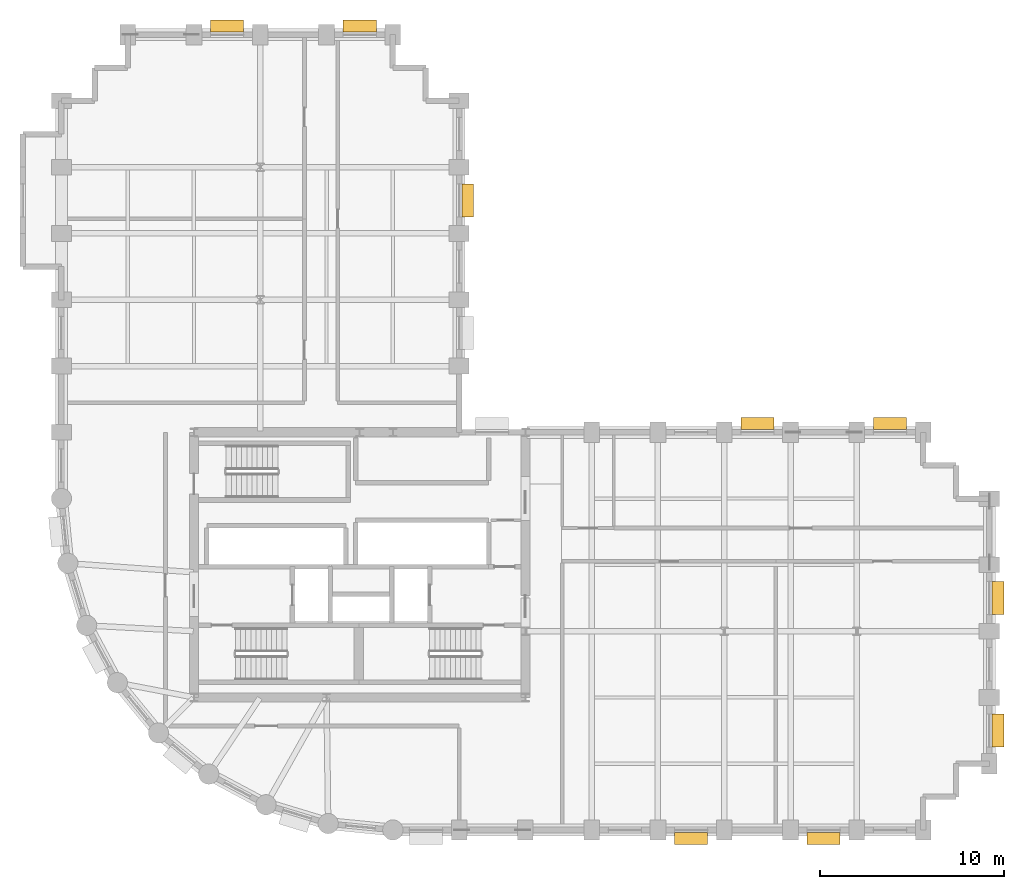
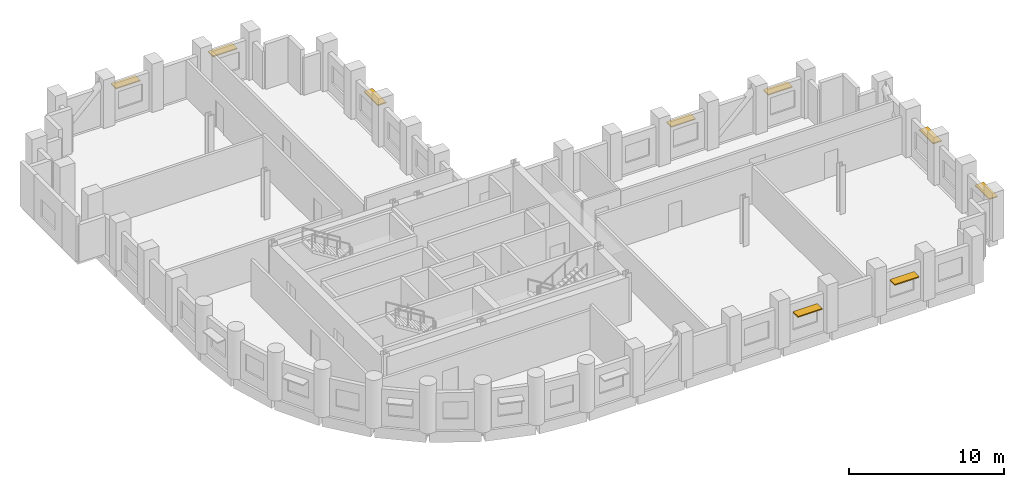
# One storey, part 8 of 8: 9 shading devices.
"""IFC4 building model written with IfcOpenShell, lengths in metres."""

from ifc_helpers import new_model, si_unit, direction, frame, origin, origin_2d, place, context, subcontext, project, spatial, rectangle, extrude, material, layer, layer_set, type_object, element, save


model = new_model("IFC4")

# Units and contexts
model_context = context("Model", 3, precision=1e-05, world=origin(), true_north=direction((0.0, 1.0)))
body_context = subcontext(model_context, "Body", "Model", "MODEL_VIEW")
ifc_project = project(units=[si_unit("LENGTHUNIT", "METRE"), si_unit("AREAUNIT", "SQUARE_METRE"), si_unit("VOLUMEUNIT", "CUBIC_METRE"), si_unit("PLANEANGLEUNIT", "RADIAN"), si_unit("MASSUNIT", "GRAM", prefix="KILO")], contexts=[model_context])

# Site, building, storey
site_placement = place(None, origin())
site = spatial("IfcSite", under=ifc_project, at=site_placement, CompositionType="ELEMENT")
building_placement = place(site_placement, origin())
building = spatial("IfcBuilding", under=site, at=building_placement, Name="Solnavia Interchange Tower", CompositionType="ELEMENT")
storey_placement = place(building_placement, frame((0.0, 0.0, 120.0)))
storey = spatial("IfcBuildingStorey", under=building, at=storey_placement, Name="L29", CompositionType="ELEMENT", Elevation=120.0)

# Shading devices
ifc_material = material(Name="Anodised Aluminium Sunshade", Category="aluminium")
ifc_layer = layer(ifc_material, 0.080078125)
ifc_layer_set = layer_set([ifc_layer], Name="Anodised Aluminium Sunshade")
shading_device_type = type_object("IfcShadingDeviceType", Name="Sunshade-Band-650", PredefinedType="SHUTTER", material=ifc_layer_set)
for number, where, z_axis, x_axis, name in (
    (1, (41.39990234375, 3.1298828125, 2.219970703125), (0.0, 0.0, 1.0), (-1.0, 0.0, 0.0), "SHD-L29-05 Horizontal sunshade band"),
    (2, (48.60009765625, 3.1298828125, 2.219970703125), (0.0, 0.0, 1.0), (-1.0, 0.0, 0.0), "SHD-L29-07 Horizontal sunshade band"),
    (3, (58.070068359375, 9.0, 2.219970703125), (0.0, 0.0, 1.0), (0.0, -1.0, 0.0), "SHD-L29-13 Horizontal sunshade band"),
    (4, (58.070068359375, 16.199951171875, 2.219970703125), (0.0, 0.0, 1.0), (0.0, -1.0, 0.0), "SHD-L29-15 Horizontal sunshade band"),
    (5, (52.199951171875, 25.669921875, 2.219970703125), (0.0, 0.0, 1.0), (1.0, 0.0, 0.0), "SHD-L29-21 Horizontal sunshade band"),
    (6, (45.0, 25.669921875, 2.219970703125), (0.0, 0.0, 1.0), (1.0, 0.0, 0.0), "SHD-L29-23 Horizontal sunshade band"),
    (7, (29.27001953125, 37.800048828125, 2.219970703125), (0.0, 0.0, 1.0), (0.0, -1.0, 0.0), "SHD-L29-31 Horizontal sunshade band"),
    (8, (23.39990234375, 47.27001953125, 2.219970703125), (0.0, 0.0, 1.0), (1.0, 0.0, 0.0), "SHD-L29-37 Horizontal sunshade band"),
    (9, (16.199951171875, 47.27001953125, 2.219970703125), (0.0, 0.0, 1.0), (1.0, 0.0, 0.0), "SHD-L29-39 Horizontal sunshade band"),
):
    element("IfcShadingDevice", number, at=place(storey_placement, frame(where, z_axis=z_axis, x_axis=x_axis)), inside=storey, type_object=shading_device_type, Name=name, PredefinedType="SHUTTER", context=body_context, shape_type="SweptSolid", body=[
        extrude(rectangle(XDim=1.800048828125, YDim=0.64990234375, at=origin_2d()), origin(), (0.0, 0.0, 1.0), 0.080078125),
    ])

save(model, "model.ifc")
